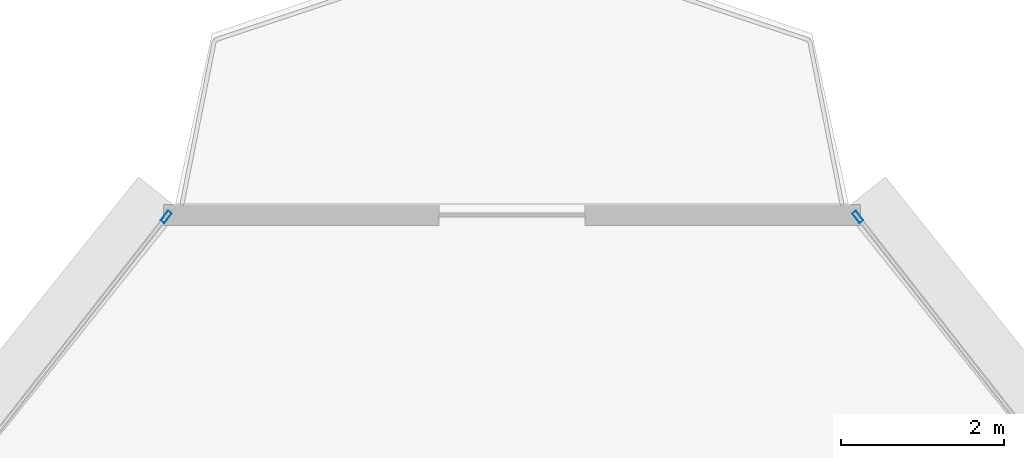
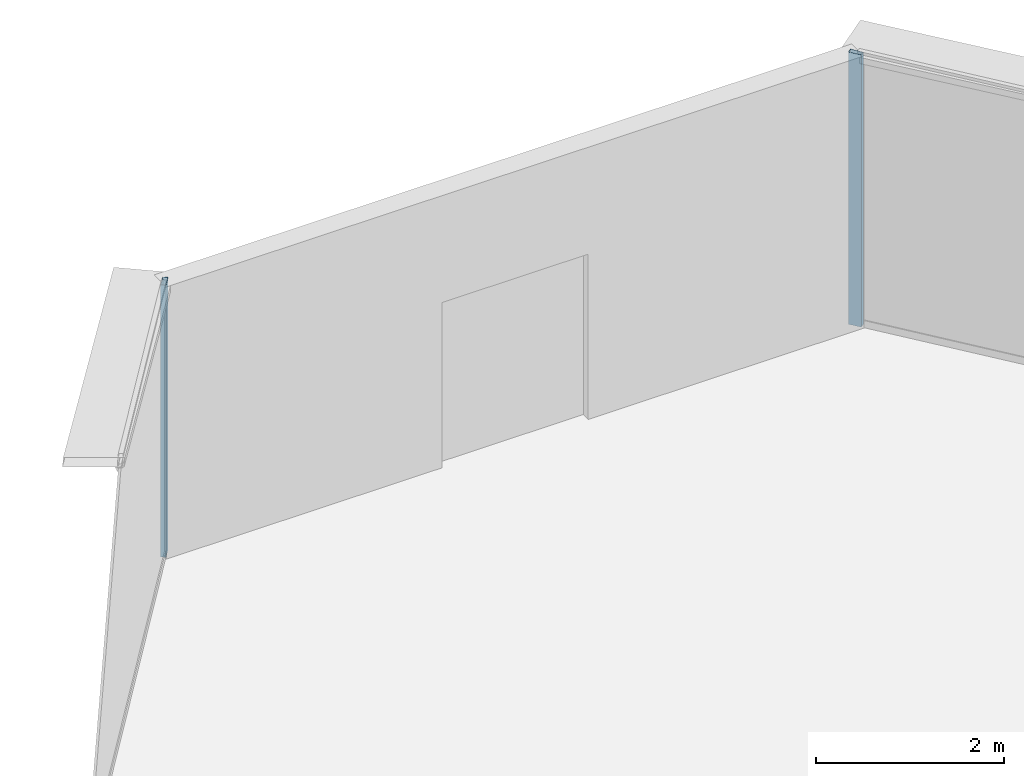
# One storey, part 28 of 40: 2 members, 2 elements without a shape of their own.
"""IFC4 building model written with IfcOpenShell, lengths in metres."""

from ifc_helpers import new_model, si_unit, direction, frame, origin, origin_2d, place, context, subcontext, project, spatial, hollow_rectangle, extrude, source, transform, mapped, material, layer, layer_set, material_profile, profile_set, type_object, element, aggregate, save


model = new_model("IFC4")

# Units and contexts
model_context = context("Model", 3, precision=1e-05, world=origin(), true_north=direction((0.0, 1.0)))
body_context = subcontext(model_context, "Body", "Model", "MODEL_VIEW")
ifc_project = project(units=[si_unit("LENGTHUNIT", "METRE"), si_unit("AREAUNIT", "SQUARE_METRE"), si_unit("VOLUMEUNIT", "CUBIC_METRE"), si_unit("PLANEANGLEUNIT", "RADIAN"), si_unit("MASSUNIT", "GRAM", prefix="KILO"), si_unit("THERMODYNAMICTEMPERATUREUNIT", "KELVIN"), si_unit("POWERUNIT", "WATT")], contexts=[model_context])

# Site, building, storey
site_placement = place(None, origin())
site = spatial("IfcSite", under=ifc_project, at=site_placement, CompositionType="ELEMENT")
building_placement = place(site_placement, origin())
building = spatial("IfcBuilding", under=site, at=building_placement, Name="Yunzhuo Pagoda Commons", CompositionType="ELEMENT")
storey_placement = place(building_placement, frame((0.0, 0.0, 188.56005859375)))
storey = spatial("IfcBuildingStorey", under=building, at=storey_placement, Name="L47", CompositionType="ELEMENT", Elevation=188.56005859375)

# Curtain wall, member
ifc_material = material(Name="Anodized aluminium 6063-T6", Category="aluminium")
ifc_layer = layer(ifc_material, 0.14990234375)
ifc_layer_set = layer_set([ifc_layer], Name="Anodized aluminium 6063-T6")
curtain_wall_type = type_object("IfcCurtainWallType", Name="CW-MID Mid-Zone Ribbon Curtain Wall", PredefinedType="NOTDEFINED", material=ifc_layer_set)
curtain_wall_1_placement = place(storey_placement, origin())
curtain_wall_1 = element("IfcCurtainWall", 1, at=curtain_wall_1_placement, inside=storey, type_object=curtain_wall_type, Name="L47 curtain wall CW-L47-F2B5", PredefinedType="NOTDEFINED")
ifc_material_profile = material_profile(ifc_material, hollow_rectangle(XDim=0.06005859375, YDim=0.14990234375, WallThickness=0.00390625, at=origin_2d()), Name="Anodized aluminium 6063-T6")
ifc_profile_set = profile_set([ifc_material_profile], Name="Anodized aluminium 6063-T6")
member_type = type_object("IfcMemberType", Name="CW-MID-M Mullion RHS 150x60x4", PredefinedType="MULLION", material=ifc_profile_set)
shared_shape = source(origin(), body_context, "Body", "SweptSolid", [
    extrude(hollow_rectangle(XDim=0.06005859375, YDim=0.14990234375, WallThickness=0.00390625, at=origin_2d()), origin(), (0.0, 0.0, 1.0), 3.5400390625),
])
member_1_placement = place(storey_placement, frame((52.25390625, 83.55908203125, 0.0), z_axis=(0.0, 0.0, 1.0), x_axis=(-0.786950244655, -0.617016460427, 0.0)))
member_1 = element("IfcMember", 2, at=member_1_placement, type_object=member_type, Name="CW mullion 2", PredefinedType="MULLION", context=body_context, shape_type="MappedRepresentation", body=[
    mapped(shared_shape, transform((0.0, 0.0, 0.0), scale=1.0)),
])
aggregate(curtain_wall_1, [member_1])

curtain_wall_2_placement = place(storey_placement, origin())
curtain_wall_2 = element("IfcCurtainWall", 3, at=curtain_wall_2_placement, inside=storey, type_object=curtain_wall_type, Name="L47 curtain wall CW-L47-F3B1", PredefinedType="NOTDEFINED")
member_2_placement = place(storey_placement, frame((43.74609375, 83.55908203125, 0.0), z_axis=(0.0, 0.0, 1.0), x_axis=(0.786950244655, -0.617016460427, 0.0)))
member_2 = element("IfcMember", 4, at=member_2_placement, type_object=member_type, Name="CW mullion 1", PredefinedType="MULLION", context=body_context, shape_type="MappedRepresentation", body=[
    mapped(shared_shape, transform((0.0, 0.0, 0.0), scale=1.0)),
])
aggregate(curtain_wall_2, [member_2])

save(model, "model.ifc")
